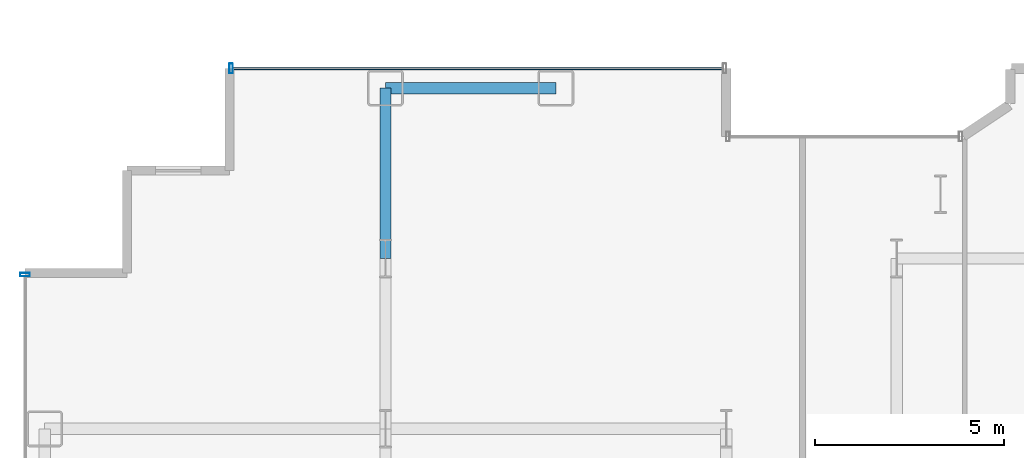
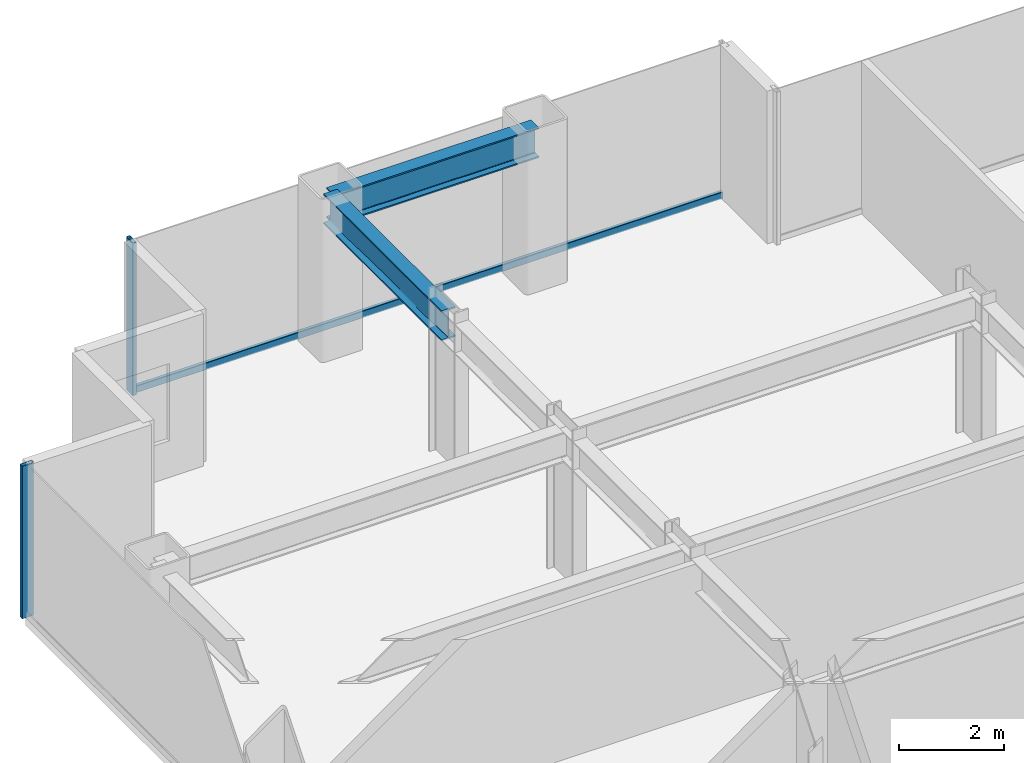
# One storey, part 9 of 25: 3 members, 2 beams, 2 elements without a shape of their own.
"""IFC4 building model written with IfcOpenShell, lengths in metres."""

from ifc_helpers import new_model, si_unit, direction, frame, origin, origin_2d, place, context, subcontext, project, spatial, hollow_rectangle, i_section, extrude, source, transform, mapped, material, layer, layer_set, material_profile, profile_set, type_object, element, aggregate, save


model = new_model("IFC4")

# Units and contexts
model_context = context("Model", 3, precision=1e-05, world=origin(), true_north=direction((0.0, 1.0)))
body_context = subcontext(model_context, "Body", "Model", "MODEL_VIEW")
ifc_project = project(units=[si_unit("LENGTHUNIT", "METRE"), si_unit("AREAUNIT", "SQUARE_METRE"), si_unit("VOLUMEUNIT", "CUBIC_METRE"), si_unit("PLANEANGLEUNIT", "RADIAN"), si_unit("MASSUNIT", "GRAM", prefix="KILO")], contexts=[model_context])

# Site, building, storey
site_placement = place(None, origin())
site = spatial("IfcSite", under=ifc_project, at=site_placement, CompositionType="ELEMENT")
building_placement = place(site_placement, origin())
building = spatial("IfcBuilding", under=site, at=building_placement, Name="Nefas-Gora Pilgrimage Tower", CompositionType="ELEMENT")
storey_placement = place(building_placement, frame((0.0, 0.0, 52.0)))
storey = spatial("IfcBuildingStorey", under=building, at=storey_placement, Name="L11", CompositionType="ELEMENT", Elevation=52.0)

# Beams
ifc_material_1 = material(Name="Steel S355", Category="steel")
ifc_material_profile_1 = material_profile(ifc_material_1, i_section(OverallWidth=0.300048828125, OverallDepth=0.699951171875, WebThickness=0.01708984375, FlangeThickness=0.031982421875, FilletRadius=0.027099609375, at=origin_2d()), Name="HEB 700")
ifc_profile_set_1 = profile_set([ifc_material_profile_1], Name="Steel S355")
beam_type_1 = type_object("IfcBeamType", Name="BM-SPN-HEB600", PredefinedType="SPANDREL", material=ifc_profile_set_1)
shared_shape_1 = source(origin(), body_context, "Body", "SweptSolid", [
    extrude(i_section(OverallWidth=0.300048828125, OverallDepth=0.699951171875, WebThickness=0.01708984375, FlangeThickness=0.031982421875, FilletRadius=0.027099609375, at=origin_2d()), origin(), (0.0, 0.0, 1.0), 4.5),
])
beam_1_placement = place(storey_placement, frame((-24.75, 22.5, 3.199951171875), z_axis=(1.0, 0.0, 0.0), x_axis=(0.0, 1.0, 0.0)))
element("IfcBeam", 1, at=beam_1_placement, inside=storey, type_object=beam_type_1, Name="L11 SP-01 beam", PredefinedType="SPANDREL", context=body_context, shape_type="MappedRepresentation", body=[
    mapped(shared_shape_1, transform((0.0, 0.0, 0.0), x_axis=(1.0, 0.0, 0.0), y_axis=(0.0, 1.0, 0.0), z_axis=(0.0, 0.0, 1.0), scale=1.0)),
])
ifc_material_profile_2 = material_profile(ifc_material_1, i_section(OverallWidth=0.300048828125, OverallDepth=0.699951171875, WebThickness=0.01708984375, FlangeThickness=0.031982421875, FilletRadius=0.027099609375, at=origin_2d()), Name="HEB 700")
ifc_profile_set_2 = profile_set([ifc_material_profile_2], Name="Steel S355")
beam_type_2 = type_object("IfcBeamType", Name="BM-GIR-HEB700", PredefinedType="BEAM", material=ifc_profile_set_2)
shared_shape_2 = source(origin(), body_context, "Body", "SweptSolid", [
    extrude(i_section(OverallWidth=0.300048828125, OverallDepth=0.699951171875, WebThickness=0.01708984375, FlangeThickness=0.031982421875, FilletRadius=0.027099609375, at=origin_2d()), origin(), (0.0, 0.0, 1.0), 4.5),
])
beam_2_placement = place(storey_placement, frame((-24.75, 18.0, 3.199951171875), z_axis=(0.0, 1.0, 0.0), x_axis=(-1.0, 0.0, 0.0)))
element("IfcBeam", 2, at=beam_2_placement, inside=storey, type_object=beam_type_2, Name="L11 G-02 beam", PredefinedType="BEAM", context=body_context, shape_type="MappedRepresentation", body=[
    mapped(shared_shape_2, transform((0.0, 0.0, 0.0), x_axis=(1.0, 0.0, 0.0), y_axis=(0.0, 1.0, 0.0), z_axis=(0.0, 0.0, 1.0), scale=1.0)),
])

# Curtain wall, member
ifc_material_2 = material(Name="Dark ceramic-fritted solar-control aluminium-glass curtain wall", Category="aluminium")
ifc_layer = layer(ifc_material_2, 0.219970703125)
ifc_layer_set = layer_set([ifc_layer], Name="Dark ceramic-fritted solar-control aluminium-glass curtain wall")
curtain_wall_type = type_object("IfcCurtainWallType", Name="CW-SYS-2", PredefinedType="NOTDEFINED", material=ifc_layer_set)
curtain_wall_1_placement = place(storey_placement, origin())
curtain_wall_1 = element("IfcCurtainWall", 3, at=curtain_wall_1_placement, inside=storey, type_object=curtain_wall_type, Name="L11 Unitised Curtain Wall CW2", PredefinedType="NOTDEFINED")
ifc_material_3 = material(Name="Anodised architectural aluminium", Category="aluminium")
ifc_material_profile_3 = material_profile(ifc_material_3, hollow_rectangle(XDim=0.090087890625, YDim=0.260009765625, WallThickness=0.006103515625, InnerFilletRadius=0.006103515625, OuterFilletRadius=0.011962890625, at=origin_2d()), Name="ALU MULLION 90x260")
ifc_profile_set_3 = profile_set([ifc_material_profile_3], Name="Anodised architectural aluminium")
member_type_1 = type_object("IfcMemberType", Name="CWM-MUL-2", PredefinedType="MULLION", material=ifc_profile_set_3)
shared_shape_3 = source(origin(), body_context, "Body", "SweptSolid", [
    extrude(hollow_rectangle(XDim=0.090087890625, YDim=0.260009765625, WallThickness=0.006103515625, InnerFilletRadius=0.006103515625, OuterFilletRadius=0.011962890625, at=origin_2d()), origin(), (0.0, 0.0, 1.0), 3.550048828125),
])
member_1_placement = place(storey_placement, frame((-28.824951171875, 23.02001953125, 0.0), z_axis=(0.0, 0.0, 1.0), x_axis=(-1.0, 0.0, 0.0)))
member_1 = element("IfcMember", 4, at=member_1_placement, type_object=member_type_1, Name="CW2 Mullion 2", PredefinedType="MULLION", context=body_context, shape_type="MappedRepresentation", body=[
    mapped(shared_shape_3, transform((0.0, 0.0, 0.0), x_axis=(1.0, 0.0, 0.0), y_axis=(0.0, 1.0, 0.0), z_axis=(0.0, 0.0, 1.0), scale=1.0)),
])

curtain_wall_2_placement = place(storey_placement, origin())
curtain_wall_2 = element("IfcCurtainWall", 5, at=curtain_wall_2_placement, inside=storey, type_object=curtain_wall_type, Name="L11 Unitised Curtain Wall CW2", PredefinedType="NOTDEFINED")
member_2_placement = place(storey_placement, frame((-34.27001953125, 17.574951171875, 0.0), z_axis=(0.0, 0.0, 1.0), x_axis=(0.0, -1.0, 0.0)))
member_2 = element("IfcMember", 6, at=member_2_placement, type_object=member_type_1, Name="CW2 Mullion 1", PredefinedType="MULLION", context=body_context, shape_type="MappedRepresentation", body=[
    mapped(shared_shape_3, transform((0.0, 0.0, 0.0), x_axis=(1.0, 0.0, 0.0), y_axis=(0.0, 1.0, 0.0), z_axis=(0.0, 0.0, 1.0), scale=1.0)),
])
aggregate(curtain_wall_2, [member_2])

# Member
ifc_material_profile_4 = material_profile(ifc_material_3, hollow_rectangle(XDim=0.080078125, YDim=0.159912109375, WallThickness=0.00439453125, InnerFilletRadius=0.00439453125, OuterFilletRadius=0.009033203125, at=origin_2d()), Name="ALU TRANSOM 80x160")
ifc_profile_set_4 = profile_set([ifc_material_profile_4], Name="Anodised architectural aluminium")
member_type_2 = type_object("IfcMemberType", Name="CWM-TRN-2", PredefinedType="USERDEFINED", material=ifc_profile_set_4)
shared_shape_4 = source(origin(), body_context, "Body", "SweptSolid", [
    extrude(hollow_rectangle(XDim=0.080078125, YDim=0.159912109375, WallThickness=0.00439453125, InnerFilletRadius=0.00439453125, OuterFilletRadius=0.009033203125, at=origin_2d()), origin(), (0.0, 0.0, 1.0), 12.93994140625),
])
member_3_placement = place(storey_placement, frame((-15.840087890625, 23.02001953125, 0.050048828125), z_axis=(-1.0, 0.0, 0.0), x_axis=(0.0, -1.0, 0.0)))
member_3 = element("IfcMember", 7, at=member_3_placement, type_object=member_type_2, Name="CW2 Spandrel Transom", ObjectType="TRANSOM", PredefinedType="USERDEFINED", context=body_context, shape_type="MappedRepresentation", body=[
    mapped(shared_shape_4, transform((0.0, 0.0, 0.0), x_axis=(1.0, 0.0, 0.0), y_axis=(0.0, 1.0, 0.0), z_axis=(0.0, 0.0, 1.0), scale=1.0)),
])

aggregate(curtain_wall_1, [member_1, member_3])

save(model, "model.ifc")
